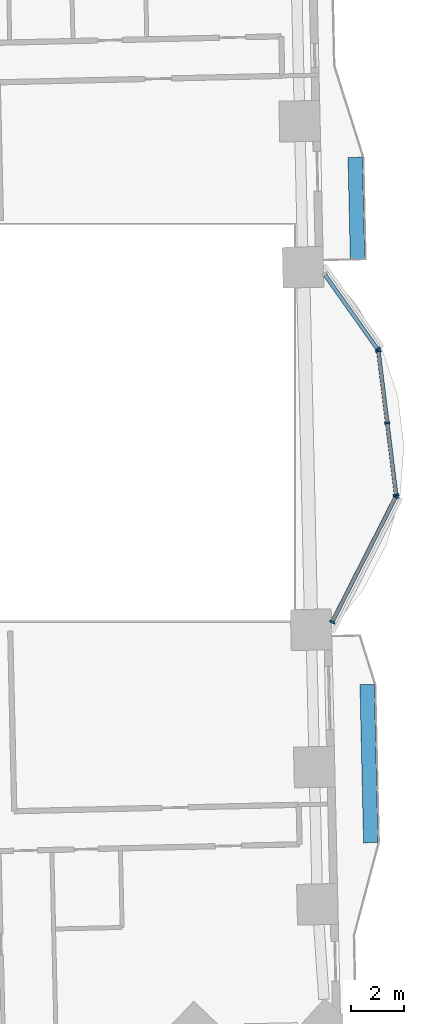
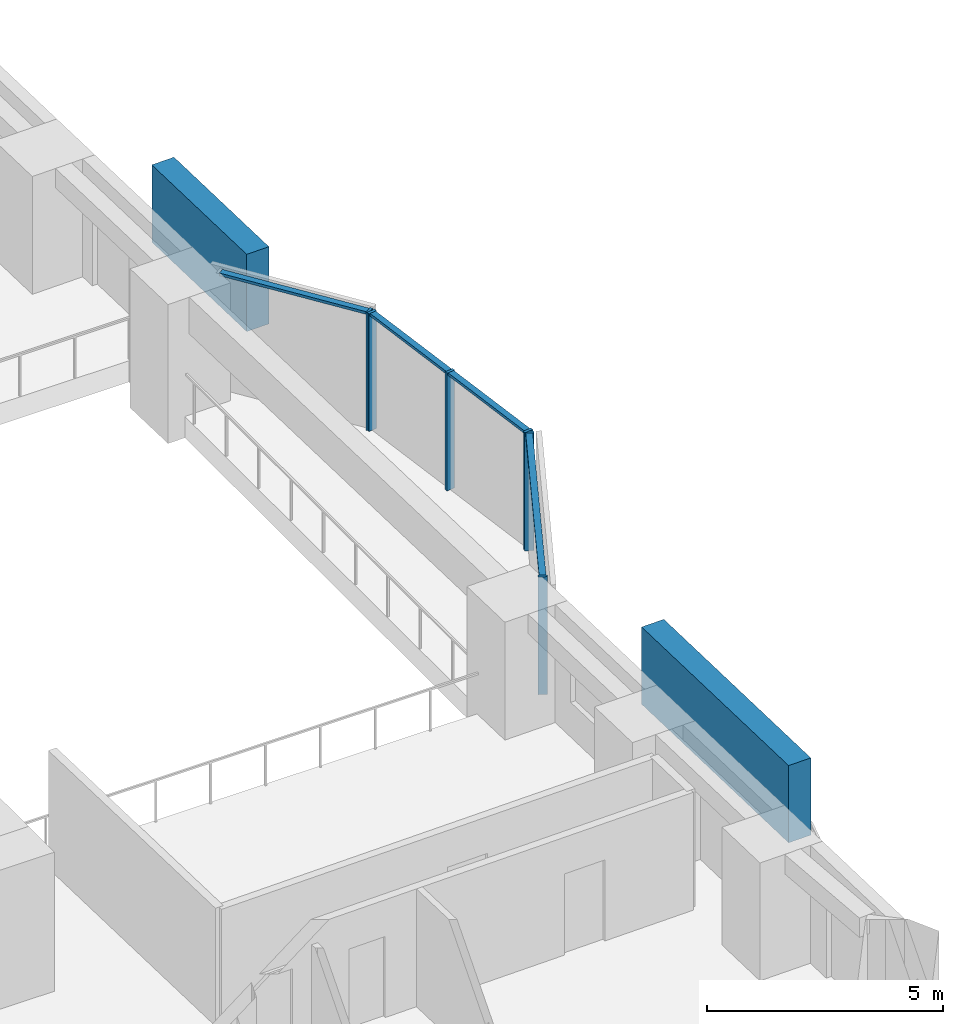
# One storey, part 3 of 16: 12 members, 3 elements without a shape of their own.
"""IFC4 building model written with IfcOpenShell, lengths in metres."""

from ifc_helpers import new_model, si_unit, direction, frame, origin, origin_2d, place, context, subcontext, project, spatial, rectangle, extrude, material, material_profile, profile_set, type_object, element, aggregate, save


model = new_model("IFC4")

# Units and contexts
model_context = context("Model", 3, precision=1e-05, world=origin(), true_north=direction((0.0, 1.0)))
body_context = subcontext(model_context, "Body", "Model", "MODEL_VIEW")
ifc_project = project(units=[si_unit("LENGTHUNIT", "METRE"), si_unit("AREAUNIT", "SQUARE_METRE"), si_unit("VOLUMEUNIT", "CUBIC_METRE"), si_unit("PLANEANGLEUNIT", "RADIAN"), si_unit("MASSUNIT", "GRAM", prefix="KILO")], contexts=[model_context])

# Site, building, storey
site_placement = place(None, origin())
site = spatial("IfcSite", under=ifc_project, at=site_placement, CompositionType="ELEMENT")
building_placement = place(site_placement, origin())
building = spatial("IfcBuilding", under=site, at=building_placement, Name="Mangrove Gate Tower", CompositionType="ELEMENT")
storey_placement = place(building_placement, frame((0.0, 0.0, 34.10009765625)))
storey = spatial("IfcBuildingStorey", under=building, at=storey_placement, Name="L07", CompositionType="ELEMENT", Elevation=34.10009765625)

# Curtain wall, members
ifc_material_1 = material(Name="Aluminium and glass curtain wall", Category="aluminium")
curtain_wall_type = type_object("IfcCurtainWallType", Name="Atrium garden-court glazing wall", PredefinedType="NOTDEFINED", material=ifc_material_1)
curtain_wall_1_placement = place(storey_placement, origin())
curtain_wall_1 = element("IfcCurtainWall", 1, at=curtain_wall_1_placement, inside=storey, type_object=curtain_wall_type, Name="Atrium garden-court glazing E1f1", PredefinedType="NOTDEFINED")
ifc_material_2 = material(Name="Aluminium alloy 6063-T6", Category="aluminium")
ifc_material_profile_1 = material_profile(ifc_material_2, rectangle(XDim=0.070068359375, YDim=0.199951171875, at=origin_2d()))
ifc_profile_set_1 = profile_set([ifc_material_profile_1], Name="Aluminium alloy 6063-T6")
member_type_1 = type_object("IfcMemberType", Name="Atrium garden-court glazing mullion 70x200", PredefinedType="MULLION", material=ifc_profile_set_1)
member_1_placement = place(storey_placement, frame((29.3681640625, -7.54833984375, 0.0), z_axis=(0.0, 0.0, 1.0), x_axis=(0.452600233136, 0.89171353526, 0.0)))
member_1 = element("IfcMember", 2, at=member_1_placement, type_object=member_type_1, Name="CWA mullion 1", PredefinedType="MULLION", context=body_context, shape_type="SweptSolid", body=[
    extrude(rectangle(XDim=0.070068359375, YDim=0.199951171875, at=origin_2d()), origin(), (0.0, 0.0, 1.0), 3.0498046875),
])
member_2_placement = place(storey_placement, frame((31.77978515625, -2.797119140625, 0.0), z_axis=(0.0, 0.0, 1.0), x_axis=(0.452600233136, 0.89171353526, 0.0)))
member_2 = element("IfcMember", 3, at=member_2_placement, type_object=member_type_1, Name="CWA mullion 2", PredefinedType="MULLION", context=body_context, shape_type="SweptSolid", body=[
    extrude(rectangle(XDim=0.070068359375, YDim=0.199951171875, at=origin_2d()), origin(), (0.0, 0.0, 1.0), 3.0498046875),
])

curtain_wall_2_placement = place(storey_placement, origin())
curtain_wall_2 = element("IfcCurtainWall", 4, at=curtain_wall_2_placement, inside=storey, type_object=curtain_wall_type, Name="Atrium garden-court glazing E1f2", PredefinedType="NOTDEFINED")
member_3_placement = place(storey_placement, frame((31.791259765625, -2.731201171875, 0.0), z_axis=(0.0, 0.0, 1.0), x_axis=(-0.122172285885, 0.992508908051, 0.0)))
member_3 = element("IfcMember", 5, at=member_3_placement, type_object=member_type_1, Name="CWA mullion 1", PredefinedType="MULLION", context=body_context, shape_type="SweptSolid", body=[
    extrude(rectangle(XDim=0.070068359375, YDim=0.199951171875, at=origin_2d()), origin(), (0.0, 0.0, 1.0), 3.0498046875),
])
member_4_placement = place(storey_placement, frame((31.455078125, -0.000244140625, 0.0), z_axis=(0.0, 0.0, 1.0), x_axis=(-0.122172285885, 0.992508908051, 0.0)))
member_4 = element("IfcMember", 6, at=member_4_placement, type_object=member_type_1, Name="CWA mullion 2", PredefinedType="MULLION", context=body_context, shape_type="SweptSolid", body=[
    extrude(rectangle(XDim=0.070068359375, YDim=0.199951171875, at=origin_2d()), origin(), (0.0, 0.0, 1.0), 3.0498046875),
])
member_5_placement = place(storey_placement, frame((31.118896484375, 2.73095703125, 0.0), z_axis=(0.0, 0.0, 1.0), x_axis=(-0.122172285885, 0.992508908051, 0.0)))
member_5 = element("IfcMember", 7, at=member_5_placement, type_object=member_type_1, Name="CWA mullion 3", PredefinedType="MULLION", context=body_context, shape_type="SweptSolid", body=[
    extrude(rectangle(XDim=0.070068359375, YDim=0.199951171875, at=origin_2d()), origin(), (0.0, 0.0, 1.0), 3.0498046875),
])

# Curtain wall, member
curtain_wall_3_placement = place(storey_placement, origin())
curtain_wall_3 = element("IfcCurtainWall", 8, at=curtain_wall_3_placement, inside=storey, type_object=curtain_wall_type, Name="Atrium garden-court glazing E1f3", PredefinedType="NOTDEFINED")
member_6_placement = place(storey_placement, frame((31.094482421875, 2.794189453125, 0.0), z_axis=(0.0, 0.0, 1.0), x_axis=(-0.578122631637, 0.815949889877, 0.0)))
member_6 = element("IfcMember", 9, at=member_6_placement, type_object=member_type_1, Name="CWA mullion 1", PredefinedType="MULLION", context=body_context, shape_type="SweptSolid", body=[
    extrude(rectangle(XDim=0.070068359375, YDim=0.199951171875, at=origin_2d()), origin(), (0.0, 0.0, 1.0), 3.0498046875),
])

# Member
ifc_material_3 = material(Name="Aluminium alloy 6063-T6", Category="aluminium")
ifc_material_profile_2 = material_profile(ifc_material_3, rectangle(XDim=0.070068359375, YDim=0.14990234375, at=origin_2d()))
ifc_profile_set_2 = profile_set([ifc_material_profile_2], Name="Aluminium alloy 6063-T6")
member_type_2 = type_object("IfcMemberType", Name="Atrium garden-court glazing transom 70x150", PredefinedType="USERDEFINED", material=ifc_profile_set_2)
member_7_placement = place(storey_placement, frame((29.384033203125, -7.51708984375, 3.014892578125), z_axis=(0.452610006929, 0.891708574383, 0.0), x_axis=(0.0, 0.0, 1.0)))
member_7 = element("IfcMember", 10, at=member_7_placement, type_object=member_type_2, Name="CWA transom 1.2", ObjectType="TRANSOM", PredefinedType="USERDEFINED", context=body_context, shape_type="SweptSolid", body=[
    extrude(rectangle(XDim=0.070068359375, YDim=0.14990234375, at=origin_2d()), origin(), (0.0, 0.0, 1.0), 5.258056640625),
])

aggregate(curtain_wall_1, [member_1, member_2, member_7])

member_8_placement = place(storey_placement, frame((31.787109375, -2.696533203125, 3.014892578125), z_axis=(-0.122174517154, 0.992508633392, 0.0), x_axis=(0.0, 0.0, 1.0)))
member_8 = element("IfcMember", 11, at=member_8_placement, type_object=member_type_2, Name="CWA transom 1.2", ObjectType="TRANSOM", PredefinedType="USERDEFINED", context=body_context, shape_type="SweptSolid", body=[
    extrude(rectangle(XDim=0.070068359375, YDim=0.14990234375, at=origin_2d()), origin(), (0.0, 0.0, 1.0), 2.681640625),
])

member_9_placement = place(storey_placement, frame((31.450927734375, 0.03466796875, 3.014892578125), z_axis=(-0.122174517154, 0.992508633392, 0.0), x_axis=(0.0, 0.0, 1.0)))
member_9 = element("IfcMember", 12, at=member_9_placement, type_object=member_type_2, Name="CWA transom 2.2", ObjectType="TRANSOM", PredefinedType="USERDEFINED", context=body_context, shape_type="SweptSolid", body=[
    extrude(rectangle(XDim=0.070068359375, YDim=0.14990234375, at=origin_2d()), origin(), (0.0, 0.0, 1.0), 2.681640625),
])

aggregate(curtain_wall_2, [member_3, member_4, member_5, member_8, member_9])

member_10_placement = place(storey_placement, frame((31.07421875, 2.82275390625, 3.014892578125), z_axis=(-0.578122045982, 0.815950304829, 0.0), x_axis=(0.0, 0.0, 1.0)))
member_10 = element("IfcMember", 13, at=member_10_placement, type_object=member_type_2, Name="CWA transom 1.2", ObjectType="TRANSOM", PredefinedType="USERDEFINED", context=body_context, shape_type="SweptSolid", body=[
    extrude(rectangle(XDim=0.070068359375, YDim=0.14990234375, at=origin_2d()), origin(), (0.0, 0.0, 1.0), 3.4287109375),
])

aggregate(curtain_wall_3, [member_6, member_10])

# Members
ifc_material_4 = material(Name="Planting on aluminium trellis", Category="aluminium")
ifc_material_profile_3 = material_profile(ifc_material_4, rectangle(XDim=0.550048828125, YDim=2.0, at=origin_2d()))
ifc_profile_set_3 = profile_set([ifc_material_profile_3], Name="Planting on aluminium trellis")
member_type_3 = type_object("IfcMemberType", Name="Balcony greenery screen 550x2000", PredefinedType="USERDEFINED", material=ifc_profile_set_3)
member_11_placement = place(storey_placement, frame((30.83203125, -15.91796875, 1.7998046875), z_axis=(-0.022828630714, 0.999739392852, 0.0), x_axis=(-0.999739392852, -0.022828630714, 0.0)))
element("IfcMember", 14, at=member_11_placement, inside=storey, type_object=member_type_3, Name="GREEN SCREEN L07 E0.1", ObjectType="PLANTING", PredefinedType="USERDEFINED", context=body_context, shape_type="SweptSolid", body=[
    extrude(rectangle(XDim=0.550048828125, YDim=2.0, at=origin_2d()), origin(), (0.0, 0.0, 1.0), 5.99951171875),
])
member_12_placement = place(storey_placement, frame((30.330078125, 6.200927734375, 1.7998046875), z_axis=(-0.022744303924, 0.999741314861, 0.0), x_axis=(-0.999741314861, -0.022744303924, 0.0)))
element("IfcMember", 15, at=member_12_placement, inside=storey, type_object=member_type_3, Name="GREEN SCREEN L07 E1.1", ObjectType="PLANTING", PredefinedType="USERDEFINED", context=body_context, shape_type="SweptSolid", body=[
    extrude(rectangle(XDim=0.550048828125, YDim=2.0, at=origin_2d()), origin(), (0.0, 0.0, 1.0), 3.875),
])

save(model, "model.ifc")
